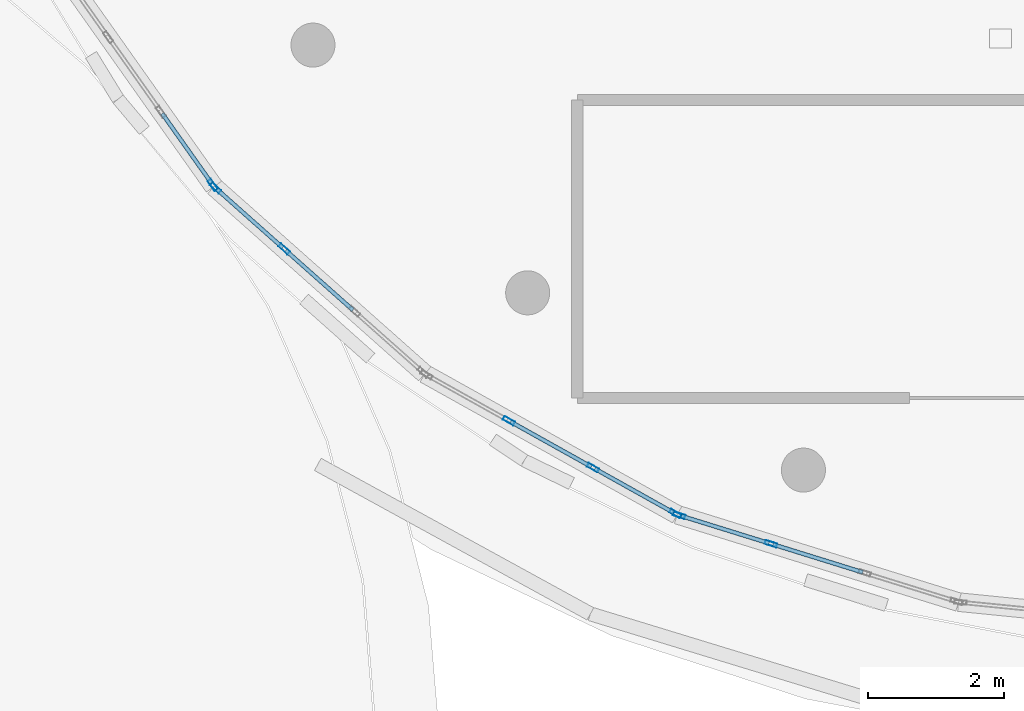
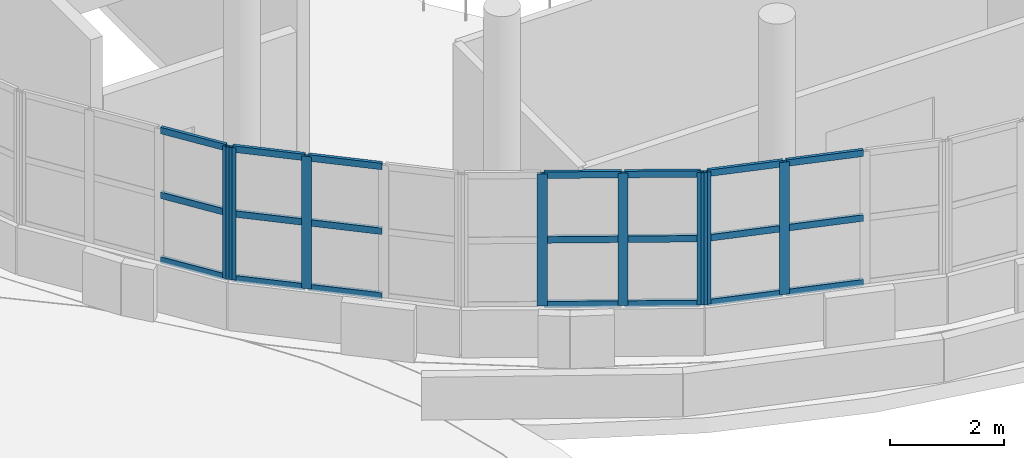
# One storey, part 4 of 105: 29 members, 4 elements without a shape of their own.
"""IFC4 building model written with IfcOpenShell, lengths in metres."""

from ifc_helpers import new_model, si_unit, direction, frame, origin, origin_2d, place, context, subcontext, project, spatial, hollow_rectangle, extrude, material, layer, layer_set, material_profile, profile_set, type_object, element, aggregate, save


model = new_model("IFC4")

# Units and contexts
model_context = context("Model", 3, precision=1e-05, world=origin(), true_north=direction((0.0, 1.0)))
body_context = subcontext(model_context, "Body", "Model", "MODEL_VIEW")
ifc_project = project(units=[si_unit("LENGTHUNIT", "METRE"), si_unit("AREAUNIT", "SQUARE_METRE"), si_unit("VOLUMEUNIT", "CUBIC_METRE"), si_unit("PLANEANGLEUNIT", "RADIAN"), si_unit("MASSUNIT", "GRAM", prefix="KILO")], contexts=[model_context])

# Site, building, storey
site_placement = place(None, origin())
site = spatial("IfcSite", under=ifc_project, at=site_placement, CompositionType="ELEMENT")
building_placement = place(site_placement, origin())
building = spatial("IfcBuilding", under=site, at=building_placement, Name="Pelvatis Terrace Science Centre", CompositionType="ELEMENT")
storey_placement = place(building_placement, frame((0.0, 0.0, 10.199951171875)))
storey = spatial("IfcBuildingStorey", under=building, at=storey_placement, Name="L02", CompositionType="ELEMENT", Elevation=10.199951171875)

# Curtain wall, member
ifc_material_1 = material(Name="Bronze-anodised aluminium and laminated glass", Category="aluminium")
ifc_layer = layer(ifc_material_1, 0.179931640625)
ifc_layer_set = layer_set([ifc_layer], Name="Bronze-anodised aluminium and laminated glass")
curtain_wall_type = type_object("IfcCurtainWallType", Name="CW-RIBBON-A", PredefinedType="NOTDEFINED", material=ifc_layer_set)
curtain_wall_1_placement = place(storey_placement, origin())
curtain_wall_1 = element("IfcCurtainWall", 1, at=curtain_wall_1_placement, inside=storey, type_object=curtain_wall_type, Name="Ribbon curtain wall CW-089 (L02)", PredefinedType="NOTDEFINED")
ifc_material_2 = material(Name="Bronze-anodised aluminium 6063-T6", Category="aluminium")
ifc_material_profile_1 = material_profile(ifc_material_2, hollow_rectangle(XDim=0.06005859375, YDim=0.179931640625, WallThickness=0.00390625, at=origin_2d()), Name="ALU-MUL 60x180")
ifc_profile_set_1 = profile_set([ifc_material_profile_1], Name="Bronze-anodised aluminium 6063-T6")
member_type_1 = type_object("IfcMemberType", Name="CWM-60x180", PredefinedType="MULLION", material=ifc_profile_set_1)
member_1_placement = place(storey_placement, frame((62.2197265625, 43.344482421875, 1.02001953125), z_axis=(0.0, 0.0, 1.0), x_axis=(0.8163259778, 0.57759146286, 0.0)))
member_1 = element("IfcMember", 2, at=member_1_placement, type_object=member_type_1, Name="CW-089 mullion 4", PredefinedType="MULLION", context=body_context, shape_type="SweptSolid", body=[
    extrude(hollow_rectangle(XDim=0.06005859375, YDim=0.179931640625, WallThickness=0.00390625, at=origin_2d()), origin(), (0.0, 0.0, 1.0), 2.840087890625),
])

# Curtain wall, members
curtain_wall_2_placement = place(storey_placement, origin())
curtain_wall_2 = element("IfcCurtainWall", 3, at=curtain_wall_2_placement, inside=storey, type_object=curtain_wall_type, Name="Ribbon curtain wall CW-090 (L02)", PredefinedType="NOTDEFINED")
member_2_placement = place(storey_placement, frame((62.259521484375, 43.30029296875, 1.02001953125), z_axis=(0.0, 0.0, 1.0), x_axis=(0.664016220834, 0.747718167808, 0.0)))
member_2 = element("IfcMember", 4, at=member_2_placement, type_object=member_type_1, Name="CW-090 mullion 1", PredefinedType="MULLION", context=body_context, shape_type="SweptSolid", body=[
    extrude(hollow_rectangle(XDim=0.06005859375, YDim=0.179931640625, WallThickness=0.00390625, at=origin_2d()), origin(), (0.0, 0.0, 1.0), 2.840087890625),
])
member_3_placement = place(storey_placement, frame((63.274169921875, 42.399169921875, 1.02001953125), z_axis=(0.0, 0.0, 1.0), x_axis=(0.664016220834, 0.747718167808, 0.0)))
member_3 = element("IfcMember", 5, at=member_3_placement, type_object=member_type_1, Name="CW-090 mullion 2", PredefinedType="MULLION", context=body_context, shape_type="SweptSolid", body=[
    extrude(hollow_rectangle(XDim=0.06005859375, YDim=0.179931640625, WallThickness=0.00390625, at=origin_2d()), origin(), (0.0, 0.0, 1.0), 2.840087890625),
])

curtain_wall_3_placement = place(storey_placement, origin())
curtain_wall_3 = element("IfcCurtainWall", 6, at=curtain_wall_3_placement, inside=storey, type_object=curtain_wall_type, Name="Ribbon curtain wall CW-091 (L02)", PredefinedType="NOTDEFINED")
member_4_placement = place(storey_placement, frame((66.59033203125, 39.864013671875, 1.02001953125), z_axis=(0.0, 0.0, 1.0), x_axis=(0.487256020167, 0.87325916589, 0.0)))
member_4 = element("IfcMember", 7, at=member_4_placement, type_object=member_type_1, Name="CW-091 mullion 2", PredefinedType="MULLION", context=body_context, shape_type="SweptSolid", body=[
    extrude(hollow_rectangle(XDim=0.06005859375, YDim=0.179931640625, WallThickness=0.00390625, at=origin_2d()), origin(), (0.0, 0.0, 1.0), 2.840087890625),
])
member_5_placement = place(storey_placement, frame((67.832275390625, 39.171142578125, 1.02001953125), z_axis=(0.0, 0.0, 1.0), x_axis=(0.487256020167, 0.87325916589, 0.0)))
member_5 = element("IfcMember", 8, at=member_5_placement, type_object=member_type_1, Name="CW-091 mullion 3", PredefinedType="MULLION", context=body_context, shape_type="SweptSolid", body=[
    extrude(hollow_rectangle(XDim=0.06005859375, YDim=0.179931640625, WallThickness=0.00390625, at=origin_2d()), origin(), (0.0, 0.0, 1.0), 2.840087890625),
])
member_6_placement = place(storey_placement, frame((69.048095703125, 38.49267578125, 1.02001953125), z_axis=(0.0, 0.0, 1.0), x_axis=(0.487256020167, 0.87325916589, 0.0)))
member_6 = element("IfcMember", 9, at=member_6_placement, type_object=member_type_1, Name="CW-091 mullion 4", PredefinedType="MULLION", context=body_context, shape_type="SweptSolid", body=[
    extrude(hollow_rectangle(XDim=0.06005859375, YDim=0.179931640625, WallThickness=0.00390625, at=origin_2d()), origin(), (0.0, 0.0, 1.0), 2.840087890625),
])

curtain_wall_4_placement = place(storey_placement, origin())
curtain_wall_4 = element("IfcCurtainWall", 10, at=curtain_wall_4_placement, inside=storey, type_object=curtain_wall_type, Name="Ribbon curtain wall CW-092 (L02)", PredefinedType="NOTDEFINED")
member_7_placement = place(storey_placement, frame((69.102783203125, 38.46923828125, 1.02001953125), z_axis=(0.0, 0.0, 1.0), x_axis=(0.296744161288, 0.954957016175, 0.0)))
member_7 = element("IfcMember", 11, at=member_7_placement, type_object=member_type_1, Name="CW-092 mullion 1", PredefinedType="MULLION", context=body_context, shape_type="SweptSolid", body=[
    extrude(hollow_rectangle(XDim=0.06005859375, YDim=0.179931640625, WallThickness=0.00390625, at=origin_2d()), origin(), (0.0, 0.0, 1.0), 2.840087890625),
])
member_8_placement = place(storey_placement, frame((70.458740234375, 38.0478515625, 1.02001953125), z_axis=(0.0, 0.0, 1.0), x_axis=(0.296744161288, 0.954957016175, 0.0)))
member_8 = element("IfcMember", 12, at=member_8_placement, type_object=member_type_1, Name="CW-092 mullion 2", PredefinedType="MULLION", context=body_context, shape_type="SweptSolid", body=[
    extrude(hollow_rectangle(XDim=0.06005859375, YDim=0.179931640625, WallThickness=0.00390625, at=origin_2d()), origin(), (0.0, 0.0, 1.0), 2.840087890625),
])

# Member
ifc_material_3 = material(Name="Bronze-anodised aluminium 6063-T6", Category="aluminium")
ifc_material_profile_2 = material_profile(ifc_material_3, hollow_rectangle(XDim=0.06005859375, YDim=0.139892578125, WallThickness=0.00390625, at=origin_2d()), Name="ALU-TRN 60x140")
ifc_profile_set_2 = profile_set([ifc_material_profile_2], Name="Bronze-anodised aluminium 6063-T6")
member_type_2 = type_object("IfcMemberType", Name="CWT-60x140", PredefinedType="USERDEFINED", material=ifc_profile_set_2)
member_9_placement = place(storey_placement, frame((61.473876953125, 44.3984375, 1.050048828125), z_axis=(0.577716486773, -0.816237502759, 0.0), x_axis=(0.816237502759, 0.577716486773, 0.0)))
member_9 = element("IfcMember", 13, at=member_9_placement, type_object=member_type_2, Name="CW-089 transom 3.1", ObjectType="TRANSOM", PredefinedType="USERDEFINED", context=body_context, shape_type="SweptSolid", body=[
    extrude(hollow_rectangle(XDim=0.06005859375, YDim=0.139892578125, WallThickness=0.00390625, at=origin_2d()), origin(), (0.0, 0.0, 1.0), 1.260986328125),
])

member_10_placement = place(storey_placement, frame((61.473876953125, 44.3984375, 2.43994140625), z_axis=(0.577716486773, -0.816237502759, 0.0), x_axis=(0.816237502759, 0.577716486773, 0.0)))
member_10 = element("IfcMember", 14, at=member_10_placement, type_object=member_type_2, Name="CW-089 transom 3.2", ObjectType="TRANSOM", PredefinedType="USERDEFINED", context=body_context, shape_type="SweptSolid", body=[
    extrude(hollow_rectangle(XDim=0.06005859375, YDim=0.139892578125, WallThickness=0.00390625, at=origin_2d()), origin(), (0.0, 0.0, 1.0), 1.260986328125),
])

member_11_placement = place(storey_placement, frame((61.473876953125, 44.3984375, 3.830078125), z_axis=(0.577716486773, -0.816237502759, 0.0), x_axis=(0.816237502759, 0.577716486773, 0.0)))
member_11 = element("IfcMember", 15, at=member_11_placement, type_object=member_type_2, Name="CW-089 transom 3.3", ObjectType="TRANSOM", PredefinedType="USERDEFINED", context=body_context, shape_type="SweptSolid", body=[
    extrude(hollow_rectangle(XDim=0.06005859375, YDim=0.139892578125, WallThickness=0.00390625, at=origin_2d()), origin(), (0.0, 0.0, 1.0), 1.260986328125),
])

aggregate(curtain_wall_1, [member_1, member_9, member_10, member_11])

member_12_placement = place(storey_placement, frame((62.281982421875, 43.2802734375, 1.050048828125), z_axis=(0.747658511552, -0.664083390926, 0.0), x_axis=(0.664083390926, 0.747658511552, 0.0)))
member_12 = element("IfcMember", 16, at=member_12_placement, type_object=member_type_2, Name="CW-090 transom 1.1", ObjectType="TRANSOM", PredefinedType="USERDEFINED", context=body_context, shape_type="SweptSolid", body=[
    extrude(hollow_rectangle(XDim=0.06005859375, YDim=0.139892578125, WallThickness=0.00390625, at=origin_2d()), origin(), (0.0, 0.0, 1.0), 1.297119140625),
])

member_13_placement = place(storey_placement, frame((62.281982421875, 43.2802734375, 2.43994140625), z_axis=(0.747658511552, -0.664083390926, 0.0), x_axis=(0.664083390926, 0.747658511552, 0.0)))
member_13 = element("IfcMember", 17, at=member_13_placement, type_object=member_type_2, Name="CW-090 transom 1.2", ObjectType="TRANSOM", PredefinedType="USERDEFINED", context=body_context, shape_type="SweptSolid", body=[
    extrude(hollow_rectangle(XDim=0.06005859375, YDim=0.139892578125, WallThickness=0.00390625, at=origin_2d()), origin(), (0.0, 0.0, 1.0), 1.297119140625),
])

member_14_placement = place(storey_placement, frame((62.281982421875, 43.2802734375, 3.830078125), z_axis=(0.747658511552, -0.664083390926, 0.0), x_axis=(0.664083390926, 0.747658511552, 0.0)))
member_14 = element("IfcMember", 18, at=member_14_placement, type_object=member_type_2, Name="CW-090 transom 1.3", ObjectType="TRANSOM", PredefinedType="USERDEFINED", context=body_context, shape_type="SweptSolid", body=[
    extrude(hollow_rectangle(XDim=0.06005859375, YDim=0.139892578125, WallThickness=0.00390625, at=origin_2d()), origin(), (0.0, 0.0, 1.0), 1.297119140625),
])

member_15_placement = place(storey_placement, frame((63.296630859375, 42.379150390625, 1.050048828125), z_axis=(0.747723916371, -0.664009747584, 0.0), x_axis=(0.664009747584, 0.747723916371, 0.0)))
member_15 = element("IfcMember", 19, at=member_15_placement, type_object=member_type_2, Name="CW-090 transom 2.1", ObjectType="TRANSOM", PredefinedType="USERDEFINED", context=body_context, shape_type="SweptSolid", body=[
    extrude(hollow_rectangle(XDim=0.06005859375, YDim=0.139892578125, WallThickness=0.00390625, at=origin_2d()), origin(), (0.0, 0.0, 1.0), 1.326904296875),
])

member_16_placement = place(storey_placement, frame((63.296630859375, 42.379150390625, 2.43994140625), z_axis=(0.747723916371, -0.664009747584, 0.0), x_axis=(0.664009747584, 0.747723916371, 0.0)))
member_16 = element("IfcMember", 20, at=member_16_placement, type_object=member_type_2, Name="CW-090 transom 2.2", ObjectType="TRANSOM", PredefinedType="USERDEFINED", context=body_context, shape_type="SweptSolid", body=[
    extrude(hollow_rectangle(XDim=0.06005859375, YDim=0.139892578125, WallThickness=0.00390625, at=origin_2d()), origin(), (0.0, 0.0, 1.0), 1.326904296875),
])

member_17_placement = place(storey_placement, frame((63.296630859375, 42.379150390625, 3.830078125), z_axis=(0.747723916371, -0.664009747584, 0.0), x_axis=(0.664009747584, 0.747723916371, 0.0)))
member_17 = element("IfcMember", 21, at=member_17_placement, type_object=member_type_2, Name="CW-090 transom 2.3", ObjectType="TRANSOM", PredefinedType="USERDEFINED", context=body_context, shape_type="SweptSolid", body=[
    extrude(hollow_rectangle(XDim=0.06005859375, YDim=0.139892578125, WallThickness=0.00390625, at=origin_2d()), origin(), (0.0, 0.0, 1.0), 1.326904296875),
])

aggregate(curtain_wall_2, [member_2, member_3, member_12, member_13, member_14, member_15, member_16, member_17])

member_18_placement = place(storey_placement, frame((66.616455078125, 39.849365234375, 1.050048828125), z_axis=(0.8733360168, -0.487118262602, 0.0), x_axis=(0.487118262602, 0.8733360168, 0.0)))
member_18 = element("IfcMember", 22, at=member_18_placement, type_object=member_type_2, Name="CW-091 transom 2.1", ObjectType="TRANSOM", PredefinedType="USERDEFINED", context=body_context, shape_type="SweptSolid", body=[
    extrude(hollow_rectangle(XDim=0.06005859375, YDim=0.139892578125, WallThickness=0.00390625, at=origin_2d()), origin(), (0.0, 0.0, 1.0), 1.3623046875),
])

member_19_placement = place(storey_placement, frame((66.616455078125, 39.849365234375, 2.43994140625), z_axis=(0.8733360168, -0.487118262602, 0.0), x_axis=(0.487118262602, 0.8733360168, 0.0)))
member_19 = element("IfcMember", 23, at=member_19_placement, type_object=member_type_2, Name="CW-091 transom 2.2", ObjectType="TRANSOM", PredefinedType="USERDEFINED", context=body_context, shape_type="SweptSolid", body=[
    extrude(hollow_rectangle(XDim=0.06005859375, YDim=0.139892578125, WallThickness=0.00390625, at=origin_2d()), origin(), (0.0, 0.0, 1.0), 1.3623046875),
])

member_20_placement = place(storey_placement, frame((66.616455078125, 39.849365234375, 3.830078125), z_axis=(0.8733360168, -0.487118262602, 0.0), x_axis=(0.487118262602, 0.8733360168, 0.0)))
member_20 = element("IfcMember", 24, at=member_20_placement, type_object=member_type_2, Name="CW-091 transom 2.3", ObjectType="TRANSOM", PredefinedType="USERDEFINED", context=body_context, shape_type="SweptSolid", body=[
    extrude(hollow_rectangle(XDim=0.06005859375, YDim=0.139892578125, WallThickness=0.00390625, at=origin_2d()), origin(), (0.0, 0.0, 1.0), 1.3623046875),
])

member_21_placement = place(storey_placement, frame((67.8583984375, 39.156494140625, 1.050048828125), z_axis=(0.873239414346, -0.487291417155, 0.0), x_axis=(0.487291417155, 0.873239414346, 0.0)))
member_21 = element("IfcMember", 25, at=member_21_placement, type_object=member_type_2, Name="CW-091 transom 3.1", ObjectType="TRANSOM", PredefinedType="USERDEFINED", context=body_context, shape_type="SweptSolid", body=[
    extrude(hollow_rectangle(XDim=0.06005859375, YDim=0.139892578125, WallThickness=0.00390625, at=origin_2d()), origin(), (0.0, 0.0, 1.0), 1.332275390625),
])

member_22_placement = place(storey_placement, frame((67.8583984375, 39.156494140625, 2.43994140625), z_axis=(0.873239414346, -0.487291417155, 0.0), x_axis=(0.487291417155, 0.873239414346, 0.0)))
member_22 = element("IfcMember", 26, at=member_22_placement, type_object=member_type_2, Name="CW-091 transom 3.2", ObjectType="TRANSOM", PredefinedType="USERDEFINED", context=body_context, shape_type="SweptSolid", body=[
    extrude(hollow_rectangle(XDim=0.06005859375, YDim=0.139892578125, WallThickness=0.00390625, at=origin_2d()), origin(), (0.0, 0.0, 1.0), 1.332275390625),
])

member_23_placement = place(storey_placement, frame((67.8583984375, 39.156494140625, 3.830078125), z_axis=(0.873239414346, -0.487291417155, 0.0), x_axis=(0.487291417155, 0.873239414346, 0.0)))
member_23 = element("IfcMember", 27, at=member_23_placement, type_object=member_type_2, Name="CW-091 transom 3.3", ObjectType="TRANSOM", PredefinedType="USERDEFINED", context=body_context, shape_type="SweptSolid", body=[
    extrude(hollow_rectangle(XDim=0.06005859375, YDim=0.139892578125, WallThickness=0.00390625, at=origin_2d()), origin(), (0.0, 0.0, 1.0), 1.332275390625),
])

aggregate(curtain_wall_3, [member_4, member_5, member_6, member_18, member_19, member_20, member_21, member_22, member_23])

member_24_placement = place(storey_placement, frame((69.131591796875, 38.460205078125, 1.050048828125), z_axis=(0.954983467705, -0.296659023815, 0.0), x_axis=(0.296659023815, 0.954983467705, 0.0)))
member_24 = element("IfcMember", 28, at=member_24_placement, type_object=member_type_2, Name="CW-092 transom 1.1", ObjectType="TRANSOM", PredefinedType="USERDEFINED", context=body_context, shape_type="SweptSolid", body=[
    extrude(hollow_rectangle(XDim=0.06005859375, YDim=0.139892578125, WallThickness=0.00390625, at=origin_2d()), origin(), (0.0, 0.0, 1.0), 1.359619140625),
])

member_25_placement = place(storey_placement, frame((69.131591796875, 38.460205078125, 2.43994140625), z_axis=(0.954983467705, -0.296659023815, 0.0), x_axis=(0.296659023815, 0.954983467705, 0.0)))
member_25 = element("IfcMember", 29, at=member_25_placement, type_object=member_type_2, Name="CW-092 transom 1.2", ObjectType="TRANSOM", PredefinedType="USERDEFINED", context=body_context, shape_type="SweptSolid", body=[
    extrude(hollow_rectangle(XDim=0.06005859375, YDim=0.139892578125, WallThickness=0.00390625, at=origin_2d()), origin(), (0.0, 0.0, 1.0), 1.359619140625),
])

member_26_placement = place(storey_placement, frame((69.131591796875, 38.460205078125, 3.830078125), z_axis=(0.954983467705, -0.296659023815, 0.0), x_axis=(0.296659023815, 0.954983467705, 0.0)))
member_26 = element("IfcMember", 30, at=member_26_placement, type_object=member_type_2, Name="CW-092 transom 1.3", ObjectType="TRANSOM", PredefinedType="USERDEFINED", context=body_context, shape_type="SweptSolid", body=[
    extrude(hollow_rectangle(XDim=0.06005859375, YDim=0.139892578125, WallThickness=0.00390625, at=origin_2d()), origin(), (0.0, 0.0, 1.0), 1.359619140625),
])

member_27_placement = place(storey_placement, frame((70.4873046875, 38.0390625, 1.050048828125), z_axis=(0.954966339764, -0.296714155236, 0.0), x_axis=(0.296714155236, 0.954966339764, 0.0)))
member_27 = element("IfcMember", 31, at=member_27_placement, type_object=member_type_2, Name="CW-092 transom 2.1", ObjectType="TRANSOM", PredefinedType="USERDEFINED", context=body_context, shape_type="SweptSolid", body=[
    extrude(hollow_rectangle(XDim=0.06005859375, YDim=0.139892578125, WallThickness=0.00390625, at=origin_2d()), origin(), (0.0, 0.0, 1.0), 1.3896484375),
])

member_28_placement = place(storey_placement, frame((70.4873046875, 38.0390625, 2.43994140625), z_axis=(0.954966339764, -0.296714155236, 0.0), x_axis=(0.296714155236, 0.954966339764, 0.0)))
member_28 = element("IfcMember", 32, at=member_28_placement, type_object=member_type_2, Name="CW-092 transom 2.2", ObjectType="TRANSOM", PredefinedType="USERDEFINED", context=body_context, shape_type="SweptSolid", body=[
    extrude(hollow_rectangle(XDim=0.06005859375, YDim=0.139892578125, WallThickness=0.00390625, at=origin_2d()), origin(), (0.0, 0.0, 1.0), 1.3896484375),
])

member_29_placement = place(storey_placement, frame((70.4873046875, 38.0390625, 3.830078125), z_axis=(0.954966339764, -0.296714155236, 0.0), x_axis=(0.296714155236, 0.954966339764, 0.0)))
member_29 = element("IfcMember", 33, at=member_29_placement, type_object=member_type_2, Name="CW-092 transom 2.3", ObjectType="TRANSOM", PredefinedType="USERDEFINED", context=body_context, shape_type="SweptSolid", body=[
    extrude(hollow_rectangle(XDim=0.06005859375, YDim=0.139892578125, WallThickness=0.00390625, at=origin_2d()), origin(), (0.0, 0.0, 1.0), 1.3896484375),
])

aggregate(curtain_wall_4, [member_7, member_8, member_24, member_25, member_26, member_27, member_28, member_29])

save(model, "model.ifc")
